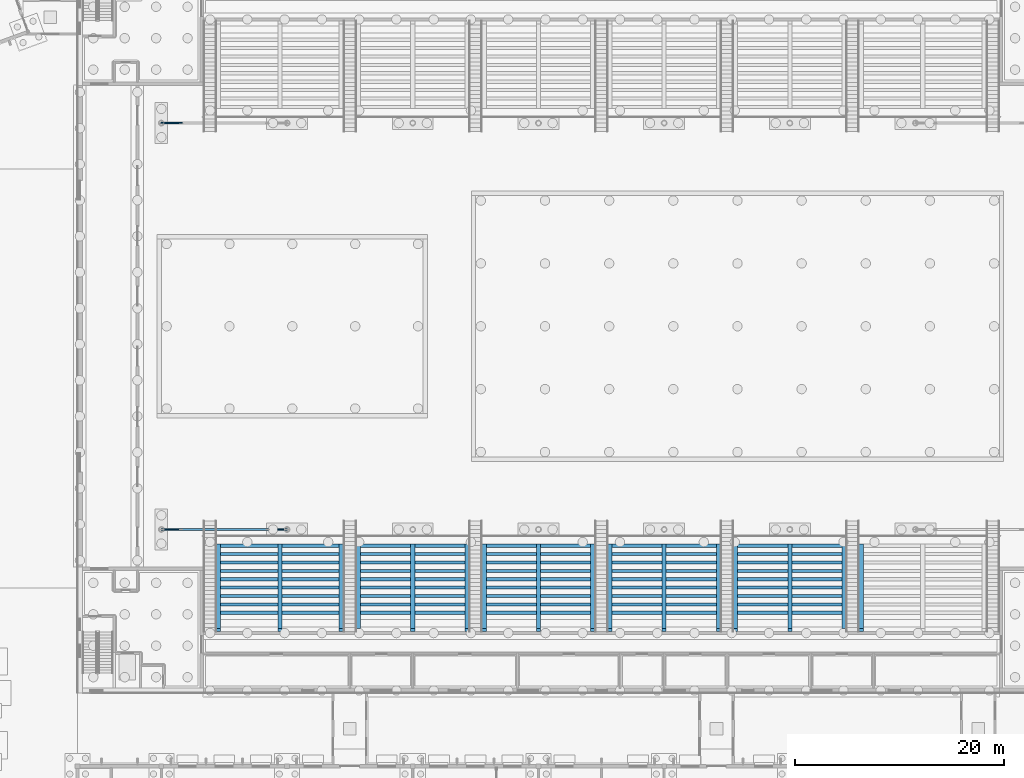
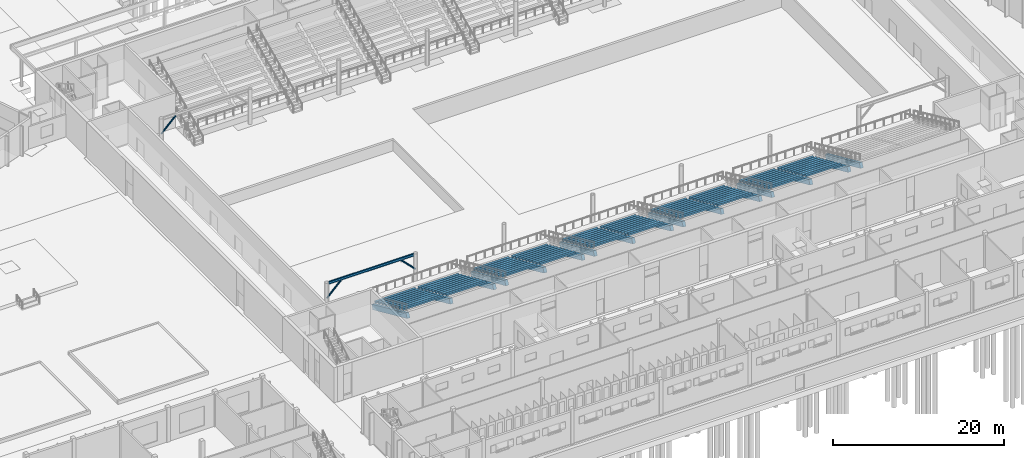
# One storey, part 32 of 157: 107 beams, 3 members.
"""IFC4 building model written with IfcOpenShell, lengths in metres."""

from ifc_helpers import new_model, si_unit, direction, frame, origin, origin_2d, place, context, subcontext, project, spatial, rectangle, hollow_circle, i_section, extrude, material, material_profile, profile_set, type_object, element, save


model = new_model("IFC4")

# Units and contexts
model_context = context("Model", 3, precision=1e-05, world=origin(), true_north=direction((0.0, 1.0)))
body_context = subcontext(model_context, "Body", "Model", "MODEL_VIEW")
ifc_project = project(units=[si_unit("LENGTHUNIT", "METRE"), si_unit("AREAUNIT", "SQUARE_METRE"), si_unit("VOLUMEUNIT", "CUBIC_METRE"), si_unit("PLANEANGLEUNIT", "RADIAN"), si_unit("MASSUNIT", "GRAM", prefix="KILO")], contexts=[model_context])

# Site, building, storey
site_placement = place(None, origin())
site = spatial("IfcSite", under=ifc_project, at=site_placement, CompositionType="ELEMENT")
building_placement = place(site_placement, origin())
building = spatial("IfcBuilding", under=site, at=building_placement, Name="Windward Yard Aquatics Centre", CompositionType="ELEMENT")
storey_placement = place(building_placement, origin())
storey = spatial("IfcBuildingStorey", under=building, at=storey_placement, Name="L00", CompositionType="ELEMENT", Elevation=0.0)

# Beam
ifc_material_1 = material(Name="Steel ASTM A992 Gr 50", Category="steel")
ifc_material_profile_1 = material_profile(ifc_material_1, i_section(OverallWidth=0.172119140625, OverallDepth=0.35791015625, WebThickness=0.0078125, FlangeThickness=0.01318359375, at=origin_2d()), Name="W360X57.8")
ifc_profile_set_1 = profile_set([ifc_material_profile_1], Name="Steel ASTM A992 Gr 50")
beam_type_1 = type_object("IfcBeamType", Name="H arch column tie beam W360X57.8", PredefinedType="BEAM", material=ifc_profile_set_1)
beam_placement = place(storey_placement, frame((60.25390625, 41.60009765625, 4.821044921875), z_axis=(1.0, 0.0, 0.0), x_axis=(0.0, 1.0, 0.0)))
element("IfcBeam", 1, at=beam_placement, inside=storey, type_object=beam_type_1, Name="H.TB.S1.T1", PredefinedType="BEAM", context=body_context, shape_type="SweptSolid", body=[
    extrude(i_section(OverallWidth=0.172119140625, OverallDepth=0.35791015625, WebThickness=0.0078125, FlangeThickness=0.01318359375, at=origin_2d()), origin(), (0.0, 0.0, 1.0), 11.4921875),
])

# Members
ifc_material_2 = material(Name="Steel ASTM A500 Gr C", Category="steel")
ifc_material_profile_2 = material_profile(ifc_material_2, hollow_circle(Radius=0.109619140625, WallThickness=0.0126953125, at=origin_2d()), Name="HSS219.1X12.7")
ifc_profile_set_2 = profile_set([ifc_material_profile_2], Name="Steel ASTM A500 Gr C")
member_type = type_object("IfcMemberType", Name="H column brace HSS219.1X12.7", PredefinedType="BRACE", material=ifc_profile_set_2)
for number, where, z_axis, x_axis, name in (
    (2, (60.0, 41.60009765625, 2.699951171875), (0.707062332824, 0.0, 0.707151226755), (0.0, 1.0, 0.0), "H.VB.S1.L00.A"),
    (3, (72.0, 41.60009765625, 2.699951171875), (-0.707062332824, 0.0, 0.707151226755), (0.0, -1.0, 0.0), "H.VB.S1.L00.B"),
    (4, (60.0, 80.39990234375, 2.699951171875), (0.707062332824, 0.0, 0.707151226755), (0.0, 1.0, 0.0), "H.VB.N1.L00.A"),
):
    element("IfcMember", number, at=place(storey_placement, frame(where, z_axis=z_axis, x_axis=x_axis)), inside=storey, type_object=member_type, Name=name, PredefinedType="BRACE", context=body_context, shape_type="SweptSolid", body=[
        extrude(hollow_circle(Radius=0.109619140625, WallThickness=0.0126953125, at=origin_2d()), origin(), (0.0, 0.0, 1.0), 2.746337890625),
    ])

# Beams
ifc_material_3 = material(Name="Concrete C35/45", Category="concrete")
ifc_material_profile_3 = material_profile(ifc_material_3, rectangle(XDim=0.39990234375, YDim=0.699951171875, at=origin_2d()), Name="RC 400X700")
ifc_profile_set_3 = profile_set([ifc_material_profile_3], Name="Concrete C35/45")
beam_type_2 = type_object("IfcBeamType", Name="H stand raker RC 400X700 C35/45", PredefinedType="USERDEFINED", material=ifc_profile_set_3)
for number, where, z_axis, x_axis, name in (
    (5, (65.449951171875, 40.056396484375, 0.540771484375), (0.0, -0.911918401483, 0.410371574353), (1.0, 0.0, 0.0), "H.RK.S.1.1"),
    (6, (71.3125, 40.056396484375, 0.540771484375), (0.0, -0.911918401483, 0.410371574353), (1.0, 0.0, 0.0), "H.RK.S.1.2"),
    (7, (77.175048828125, 40.056396484375, 0.540771484375), (0.0, -0.911918401483, 0.410371574353), (1.0, 0.0, 0.0), "H.RK.S.1.3"),
    (8, (78.824951171875, 40.056396484375, 0.540771484375), (0.0, -0.911918401483, 0.410371574353), (1.0, 0.0, 0.0), "H.RK.S.2.1"),
    (9, (84.0, 40.056396484375, 0.540771484375), (0.0, -0.911918401483, 0.410371574353), (1.0, 0.0, 0.0), "H.RK.S.2.2"),
    (10, (89.175048828125, 40.056396484375, 0.540771484375), (0.0, -0.911918401483, 0.410371574353), (1.0, 0.0, 0.0), "H.RK.S.2.3"),
    (11, (90.824951171875, 40.056396484375, 0.540771484375), (0.0, -0.911918401483, 0.410371574353), (1.0, 0.0, 0.0), "H.RK.S.3.1"),
    (12, (96.0, 40.056396484375, 0.540771484375), (0.0, -0.911918401483, 0.410371574353), (1.0, 0.0, 0.0), "H.RK.S.3.2"),
    (13, (101.175048828125, 40.056396484375, 0.540771484375), (0.0, -0.911918401483, 0.410371574353), (1.0, 0.0, 0.0), "H.RK.S.3.3"),
    (14, (102.824951171875, 40.056396484375, 0.540771484375), (0.0, -0.911918401483, 0.410371574353), (1.0, 0.0, 0.0), "H.RK.S.4.1"),
    (15, (108.0, 40.056396484375, 0.540771484375), (0.0, -0.911918401483, 0.410371574353), (1.0, 0.0, 0.0), "H.RK.S.4.2"),
    (16, (113.175048828125, 40.056396484375, 0.540771484375), (0.0, -0.911918401483, 0.410371574353), (1.0, 0.0, 0.0), "H.RK.S.4.3"),
    (17, (114.824951171875, 40.056396484375, 0.540771484375), (0.0, -0.911918401483, 0.410371574353), (1.0, 0.0, 0.0), "H.RK.S.5.1"),
    (18, (120.0, 40.056396484375, 0.540771484375), (0.0, -0.911918401483, 0.410371574353), (1.0, 0.0, 0.0), "H.RK.S.5.2"),
    (19, (125.175048828125, 40.056396484375, 0.540771484375), (0.0, -0.911918401483, 0.410371574353), (1.0, 0.0, 0.0), "H.RK.S.5.3"),
    (20, (126.824951171875, 40.056396484375, 0.540771484375), (0.0, -0.911918401483, 0.410371574353), (1.0, 0.0, 0.0), "H.RK.S.6.1"),
):
    element("IfcBeam", number, at=place(storey_placement, frame(where, z_axis=z_axis, x_axis=x_axis)), inside=storey, type_object=beam_type_2, Name=name, ObjectType="RAKER", PredefinedType="USERDEFINED", context=body_context, shape_type="SweptSolid", body=[
        extrude(rectangle(XDim=0.39990234375, YDim=0.699951171875, at=origin_2d()), origin(), (0.0, 0.0, 1.0), 8.8310546875),
    ])
ifc_material_profile_4 = material_profile(ifc_material_3, rectangle(XDim=0.300048828125, YDim=0.22509765625, at=origin_2d()), Name="RC 300X225")
ifc_profile_set_4 = profile_set([ifc_material_profile_4], Name="Concrete C35/45")
beam_type_3 = type_object("IfcBeamType", Name="H stand tread beam RC 300X225 C35/45", PredefinedType="USERDEFINED", material=ifc_profile_set_4)
for number, where, z_axis, x_axis, name in (
    (21, (65.64990234375, 40.050048828125, 1.107421875), (1.0, 0.0, 0.0), (0.0, 1.0, 0.0), "H.TD.S.1.R02.1"),
    (22, (71.512451171875, 40.050048828125, 1.107421875), (1.0, 0.0, 0.0), (0.0, 1.0, 0.0), "H.TD.S.1.R02.2"),
    (23, (65.64990234375, 39.25, 1.467529296875), (1.0, 0.0, 0.0), (0.0, 1.0, 0.0), "H.TD.S.1.R03.1"),
    (24, (71.512451171875, 39.25, 1.467529296875), (1.0, 0.0, 0.0), (0.0, 1.0, 0.0), "H.TD.S.1.R03.2"),
    (25, (65.64990234375, 38.449951171875, 1.827392578125), (1.0, 0.0, 0.0), (0.0, 1.0, 0.0), "H.TD.S.1.R04.1"),
    (26, (71.512451171875, 38.449951171875, 1.827392578125), (1.0, 0.0, 0.0), (0.0, 1.0, 0.0), "H.TD.S.1.R04.2"),
    (27, (65.64990234375, 37.64990234375, 2.1875), (1.0, 0.0, 0.0), (0.0, 1.0, 0.0), "H.TD.S.1.R05.1"),
    (28, (71.512451171875, 37.64990234375, 2.1875), (1.0, 0.0, 0.0), (0.0, 1.0, 0.0), "H.TD.S.1.R05.2"),
    (29, (65.64990234375, 36.85009765625, 2.547607421875), (1.0, 0.0, 0.0), (0.0, 1.0, 0.0), "H.TD.S.1.R06.1"),
    (30, (71.512451171875, 36.85009765625, 2.547607421875), (1.0, 0.0, 0.0), (0.0, 1.0, 0.0), "H.TD.S.1.R06.2"),
    (31, (65.64990234375, 36.050048828125, 2.907470703125), (1.0, 0.0, 0.0), (0.0, 1.0, 0.0), "H.TD.S.1.R07.1"),
    (32, (71.512451171875, 36.050048828125, 2.907470703125), (1.0, 0.0, 0.0), (0.0, 1.0, 0.0), "H.TD.S.1.R07.2"),
    (33, (65.64990234375, 35.25, 3.267578125), (1.0, 0.0, 0.0), (0.0, 1.0, 0.0), "H.TD.S.1.R08.1"),
    (34, (71.512451171875, 35.25, 3.267578125), (1.0, 0.0, 0.0), (0.0, 1.0, 0.0), "H.TD.S.1.R08.2"),
    (35, (65.64990234375, 34.449951171875, 3.62744140625), (1.0, 0.0, 0.0), (0.0, 1.0, 0.0), "H.TD.S.1.R09.1"),
    (36, (71.512451171875, 34.449951171875, 3.62744140625), (1.0, 0.0, 0.0), (0.0, 1.0, 0.0), "H.TD.S.1.R09.2"),
    (37, (65.64990234375, 33.64990234375, 3.987548828125), (1.0, 0.0, 0.0), (0.0, 1.0, 0.0), "H.TD.S.1.R10.1"),
    (38, (71.512451171875, 33.64990234375, 3.987548828125), (1.0, 0.0, 0.0), (0.0, 1.0, 0.0), "H.TD.S.1.R10.2"),
):
    element("IfcBeam", number, at=place(storey_placement, frame(where, z_axis=z_axis, x_axis=x_axis)), inside=storey, type_object=beam_type_3, Name=name, ObjectType="TREAD BEAM", PredefinedType="USERDEFINED", context=body_context, shape_type="SweptSolid", body=[
        extrude(rectangle(XDim=0.300048828125, YDim=0.22509765625, at=origin_2d()), origin(), (0.0, 0.0, 1.0), 5.462646484375),
    ])
for number, where, z_axis, x_axis, name in (
    (39, (79.02490234375, 40.050048828125, 1.107421875), (1.0, 0.0, 0.0), (0.0, 1.0, 0.0), "H.TD.S.2.R02.1"),
    (40, (84.199951171875, 40.050048828125, 1.107421875), (1.0, 0.0, 0.0), (0.0, 1.0, 0.0), "H.TD.S.2.R02.2"),
    (41, (79.02490234375, 39.25, 1.467529296875), (1.0, 0.0, 0.0), (0.0, 1.0, 0.0), "H.TD.S.2.R03.1"),
    (42, (84.199951171875, 39.25, 1.467529296875), (1.0, 0.0, 0.0), (0.0, 1.0, 0.0), "H.TD.S.2.R03.2"),
    (43, (79.02490234375, 38.449951171875, 1.827392578125), (1.0, 0.0, 0.0), (0.0, 1.0, 0.0), "H.TD.S.2.R04.1"),
    (44, (84.199951171875, 38.449951171875, 1.827392578125), (1.0, 0.0, 0.0), (0.0, 1.0, 0.0), "H.TD.S.2.R04.2"),
    (45, (79.02490234375, 37.64990234375, 2.1875), (1.0, 0.0, 0.0), (0.0, 1.0, 0.0), "H.TD.S.2.R05.1"),
    (46, (84.199951171875, 37.64990234375, 2.1875), (1.0, 0.0, 0.0), (0.0, 1.0, 0.0), "H.TD.S.2.R05.2"),
    (47, (79.02490234375, 36.85009765625, 2.547607421875), (1.0, 0.0, 0.0), (0.0, 1.0, 0.0), "H.TD.S.2.R06.1"),
    (48, (84.199951171875, 36.85009765625, 2.547607421875), (1.0, 0.0, 0.0), (0.0, 1.0, 0.0), "H.TD.S.2.R06.2"),
    (49, (79.02490234375, 36.050048828125, 2.907470703125), (1.0, 0.0, 0.0), (0.0, 1.0, 0.0), "H.TD.S.2.R07.1"),
    (50, (84.199951171875, 36.050048828125, 2.907470703125), (1.0, 0.0, 0.0), (0.0, 1.0, 0.0), "H.TD.S.2.R07.2"),
    (51, (79.02490234375, 35.25, 3.267578125), (1.0, 0.0, 0.0), (0.0, 1.0, 0.0), "H.TD.S.2.R08.1"),
    (52, (84.199951171875, 35.25, 3.267578125), (1.0, 0.0, 0.0), (0.0, 1.0, 0.0), "H.TD.S.2.R08.2"),
    (53, (79.02490234375, 34.449951171875, 3.62744140625), (1.0, 0.0, 0.0), (0.0, 1.0, 0.0), "H.TD.S.2.R09.1"),
    (54, (84.199951171875, 34.449951171875, 3.62744140625), (1.0, 0.0, 0.0), (0.0, 1.0, 0.0), "H.TD.S.2.R09.2"),
    (55, (79.02490234375, 33.64990234375, 3.987548828125), (1.0, 0.0, 0.0), (0.0, 1.0, 0.0), "H.TD.S.2.R10.1"),
    (56, (84.199951171875, 33.64990234375, 3.987548828125), (1.0, 0.0, 0.0), (0.0, 1.0, 0.0), "H.TD.S.2.R10.2"),
    (57, (91.02490234375, 40.050048828125, 1.107421875), (1.0, 0.0, 0.0), (0.0, 1.0, 0.0), "H.TD.S.3.R02.1"),
    (58, (96.199951171875, 40.050048828125, 1.107421875), (1.0, 0.0, 0.0), (0.0, 1.0, 0.0), "H.TD.S.3.R02.2"),
    (59, (91.02490234375, 39.25, 1.467529296875), (1.0, 0.0, 0.0), (0.0, 1.0, 0.0), "H.TD.S.3.R03.1"),
    (60, (96.199951171875, 39.25, 1.467529296875), (1.0, 0.0, 0.0), (0.0, 1.0, 0.0), "H.TD.S.3.R03.2"),
    (61, (91.02490234375, 38.449951171875, 1.827392578125), (1.0, 0.0, 0.0), (0.0, 1.0, 0.0), "H.TD.S.3.R04.1"),
    (62, (96.199951171875, 38.449951171875, 1.827392578125), (1.0, 0.0, 0.0), (0.0, 1.0, 0.0), "H.TD.S.3.R04.2"),
    (63, (91.02490234375, 37.64990234375, 2.1875), (1.0, 0.0, 0.0), (0.0, 1.0, 0.0), "H.TD.S.3.R05.1"),
    (64, (96.199951171875, 37.64990234375, 2.1875), (1.0, 0.0, 0.0), (0.0, 1.0, 0.0), "H.TD.S.3.R05.2"),
    (65, (91.02490234375, 36.85009765625, 2.547607421875), (1.0, 0.0, 0.0), (0.0, 1.0, 0.0), "H.TD.S.3.R06.1"),
    (66, (96.199951171875, 36.85009765625, 2.547607421875), (1.0, 0.0, 0.0), (0.0, 1.0, 0.0), "H.TD.S.3.R06.2"),
    (67, (91.02490234375, 36.050048828125, 2.907470703125), (1.0, 0.0, 0.0), (0.0, 1.0, 0.0), "H.TD.S.3.R07.1"),
    (68, (96.199951171875, 36.050048828125, 2.907470703125), (1.0, 0.0, 0.0), (0.0, 1.0, 0.0), "H.TD.S.3.R07.2"),
    (69, (91.02490234375, 35.25, 3.267578125), (1.0, 0.0, 0.0), (0.0, 1.0, 0.0), "H.TD.S.3.R08.1"),
    (70, (96.199951171875, 35.25, 3.267578125), (1.0, 0.0, 0.0), (0.0, 1.0, 0.0), "H.TD.S.3.R08.2"),
    (71, (91.02490234375, 34.449951171875, 3.62744140625), (1.0, 0.0, 0.0), (0.0, 1.0, 0.0), "H.TD.S.3.R09.1"),
    (72, (96.199951171875, 34.449951171875, 3.62744140625), (1.0, 0.0, 0.0), (0.0, 1.0, 0.0), "H.TD.S.3.R09.2"),
    (73, (91.02490234375, 33.64990234375, 3.987548828125), (1.0, 0.0, 0.0), (0.0, 1.0, 0.0), "H.TD.S.3.R10.1"),
    (74, (96.199951171875, 33.64990234375, 3.987548828125), (1.0, 0.0, 0.0), (0.0, 1.0, 0.0), "H.TD.S.3.R10.2"),
    (75, (103.02490234375, 40.050048828125, 1.107421875), (1.0, 0.0, 0.0), (0.0, 1.0, 0.0), "H.TD.S.4.R02.1"),
    (76, (108.199951171875, 40.050048828125, 1.107421875), (1.0, 0.0, 0.0), (0.0, 1.0, 0.0), "H.TD.S.4.R02.2"),
    (77, (103.02490234375, 39.25, 1.467529296875), (1.0, 0.0, 0.0), (0.0, 1.0, 0.0), "H.TD.S.4.R03.1"),
    (78, (108.199951171875, 39.25, 1.467529296875), (1.0, 0.0, 0.0), (0.0, 1.0, 0.0), "H.TD.S.4.R03.2"),
    (79, (103.02490234375, 38.449951171875, 1.827392578125), (1.0, 0.0, 0.0), (0.0, 1.0, 0.0), "H.TD.S.4.R04.1"),
    (80, (108.199951171875, 38.449951171875, 1.827392578125), (1.0, 0.0, 0.0), (0.0, 1.0, 0.0), "H.TD.S.4.R04.2"),
    (81, (103.02490234375, 37.64990234375, 2.1875), (1.0, 0.0, 0.0), (0.0, 1.0, 0.0), "H.TD.S.4.R05.1"),
    (82, (108.199951171875, 37.64990234375, 2.1875), (1.0, 0.0, 0.0), (0.0, 1.0, 0.0), "H.TD.S.4.R05.2"),
    (83, (103.02490234375, 36.85009765625, 2.547607421875), (1.0, 0.0, 0.0), (0.0, 1.0, 0.0), "H.TD.S.4.R06.1"),
    (84, (108.199951171875, 36.85009765625, 2.547607421875), (1.0, 0.0, 0.0), (0.0, 1.0, 0.0), "H.TD.S.4.R06.2"),
    (85, (103.02490234375, 36.050048828125, 2.907470703125), (1.0, 0.0, 0.0), (0.0, 1.0, 0.0), "H.TD.S.4.R07.1"),
    (86, (108.199951171875, 36.050048828125, 2.907470703125), (1.0, 0.0, 0.0), (0.0, 1.0, 0.0), "H.TD.S.4.R07.2"),
    (87, (103.02490234375, 35.25, 3.267578125), (1.0, 0.0, 0.0), (0.0, 1.0, 0.0), "H.TD.S.4.R08.1"),
    (88, (108.199951171875, 35.25, 3.267578125), (1.0, 0.0, 0.0), (0.0, 1.0, 0.0), "H.TD.S.4.R08.2"),
    (89, (103.02490234375, 34.449951171875, 3.62744140625), (1.0, 0.0, 0.0), (0.0, 1.0, 0.0), "H.TD.S.4.R09.1"),
    (90, (108.199951171875, 34.449951171875, 3.62744140625), (1.0, 0.0, 0.0), (0.0, 1.0, 0.0), "H.TD.S.4.R09.2"),
    (91, (103.02490234375, 33.64990234375, 3.987548828125), (1.0, 0.0, 0.0), (0.0, 1.0, 0.0), "H.TD.S.4.R10.1"),
    (92, (108.199951171875, 33.64990234375, 3.987548828125), (1.0, 0.0, 0.0), (0.0, 1.0, 0.0), "H.TD.S.4.R10.2"),
    (93, (115.02490234375, 40.050048828125, 1.107421875), (1.0, 0.0, 0.0), (0.0, 1.0, 0.0), "H.TD.S.5.R02.1"),
    (94, (120.199951171875, 40.050048828125, 1.107421875), (1.0, 0.0, 0.0), (0.0, 1.0, 0.0), "H.TD.S.5.R02.2"),
    (95, (115.02490234375, 39.25, 1.467529296875), (1.0, 0.0, 0.0), (0.0, 1.0, 0.0), "H.TD.S.5.R03.1"),
    (96, (120.199951171875, 39.25, 1.467529296875), (1.0, 0.0, 0.0), (0.0, 1.0, 0.0), "H.TD.S.5.R03.2"),
    (97, (115.02490234375, 38.449951171875, 1.827392578125), (1.0, 0.0, 0.0), (0.0, 1.0, 0.0), "H.TD.S.5.R04.1"),
    (98, (120.199951171875, 38.449951171875, 1.827392578125), (1.0, 0.0, 0.0), (0.0, 1.0, 0.0), "H.TD.S.5.R04.2"),
    (99, (115.02490234375, 37.64990234375, 2.1875), (1.0, 0.0, 0.0), (0.0, 1.0, 0.0), "H.TD.S.5.R05.1"),
    (100, (120.199951171875, 37.64990234375, 2.1875), (1.0, 0.0, 0.0), (0.0, 1.0, 0.0), "H.TD.S.5.R05.2"),
    (101, (115.02490234375, 36.85009765625, 2.547607421875), (1.0, 0.0, 0.0), (0.0, 1.0, 0.0), "H.TD.S.5.R06.1"),
    (102, (120.199951171875, 36.85009765625, 2.547607421875), (1.0, 0.0, 0.0), (0.0, 1.0, 0.0), "H.TD.S.5.R06.2"),
    (103, (115.02490234375, 36.050048828125, 2.907470703125), (1.0, 0.0, 0.0), (0.0, 1.0, 0.0), "H.TD.S.5.R07.1"),
    (104, (120.199951171875, 36.050048828125, 2.907470703125), (1.0, 0.0, 0.0), (0.0, 1.0, 0.0), "H.TD.S.5.R07.2"),
    (105, (115.02490234375, 35.25, 3.267578125), (1.0, 0.0, 0.0), (0.0, 1.0, 0.0), "H.TD.S.5.R08.1"),
    (106, (120.199951171875, 35.25, 3.267578125), (1.0, 0.0, 0.0), (0.0, 1.0, 0.0), "H.TD.S.5.R08.2"),
    (107, (115.02490234375, 34.449951171875, 3.62744140625), (1.0, 0.0, 0.0), (0.0, 1.0, 0.0), "H.TD.S.5.R09.1"),
    (108, (120.199951171875, 34.449951171875, 3.62744140625), (1.0, 0.0, 0.0), (0.0, 1.0, 0.0), "H.TD.S.5.R09.2"),
    (109, (115.02490234375, 33.64990234375, 3.987548828125), (1.0, 0.0, 0.0), (0.0, 1.0, 0.0), "H.TD.S.5.R10.1"),
    (110, (120.199951171875, 33.64990234375, 3.987548828125), (1.0, 0.0, 0.0), (0.0, 1.0, 0.0), "H.TD.S.5.R10.2"),
):
    element("IfcBeam", number, at=place(storey_placement, frame(where, z_axis=z_axis, x_axis=x_axis)), inside=storey, type_object=beam_type_3, Name=name, ObjectType="TREAD BEAM", PredefinedType="USERDEFINED", context=body_context, shape_type="SweptSolid", body=[
        extrude(rectangle(XDim=0.300048828125, YDim=0.22509765625, at=origin_2d()), origin(), (0.0, 0.0, 1.0), 4.775146484375),
    ])

save(model, "model.ifc")
